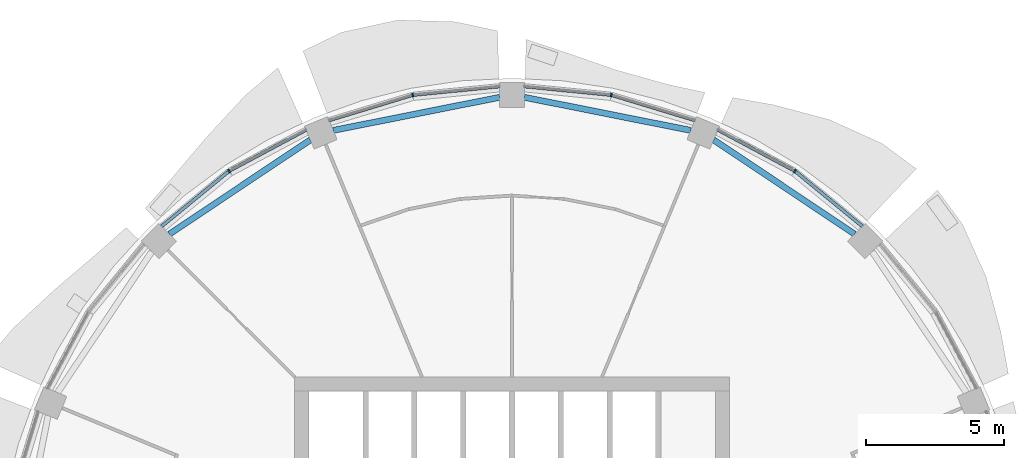
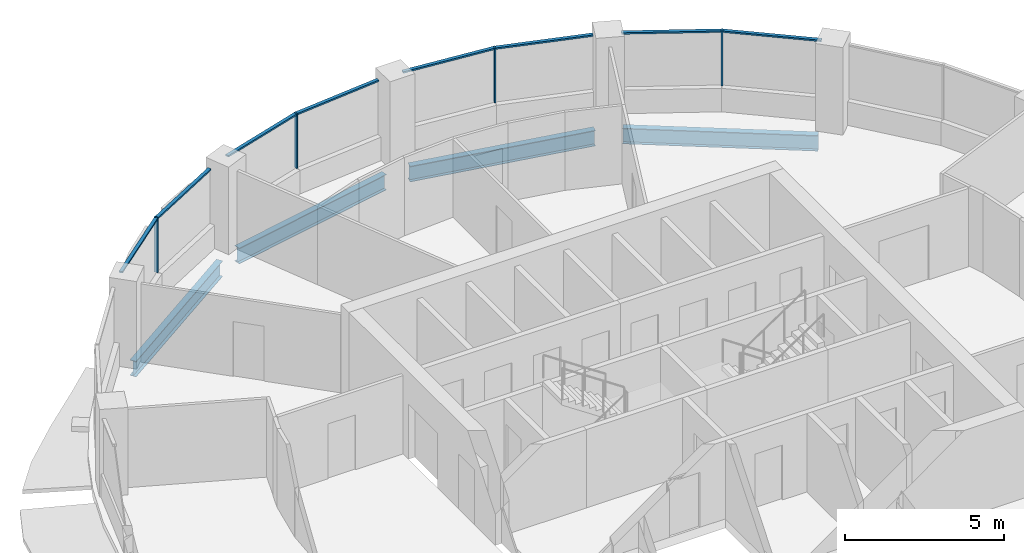
# One storey, part 6 of 15: 12 members, 4 beams, 4 elements without a shape of their own.
"""IFC4 building model written with IfcOpenShell, lengths in metres."""

import ifcopenshell
import ifcopenshell.guid

model = None  # the IFC model being written
_history = None  # IfcOwnerHistory: only IFC2X3 demands one
_inside = {}  # id of a spatial element -> (the spatial element, [elements in it])
_under = {}  # id of a project, library or spatial element -> (it, [spatial elements below it])
_declared = {}  # id of a project -> (the project, [libraries it declares])
_typed = {}  # id of a type object -> (the type object, [elements of that type])
_made_of = {}  # id of a material, layer set ... -> (it, [elements and type objects made of it])


def new_model(schema):
    """Start an empty IFC model of exactly this schema.

    Asked for "IFC4X3", IfcOpenShell would pick the latest addendum, in which some entities
    have other attributes; the version numbers below select the first issue.
    IFC2X3 requires an IfcOwnerHistory on every rooted entity: one is made here for all.
    """
    global model, _history
    if schema == "IFC4X3":
        model = ifcopenshell.file(schema_version=(4, 3, 0, 0))
    else:
        model = ifcopenshell.file(schema=schema)
    _inside.clear()
    _under.clear()
    _declared.clear()
    _typed.clear()
    _made_of.clear()
    _history = None
    if model.schema == "IFC2X3":
        org = make("IfcOrganization", Name="unknown")
        user = make(
            "IfcPersonAndOrganization",
            ThePerson=make("IfcPerson", FamilyName="unknown"),
            TheOrganization=org,
        )
        app = make(
            "IfcApplication",
            ApplicationDeveloper=org,
            Version="unknown",
            ApplicationFullName="unknown",
            ApplicationIdentifier="unknown",
        )
        _history = make(
            "IfcOwnerHistory",
            OwningUser=user,
            OwningApplication=app,
            ChangeAction="ADDED",
            CreationDate=0,
        )
    return model


def make(cls, **values):
    """One entity of the class cls with the attributes given. An attribute that is None is left unset."""
    return model.create_entity(
        cls, **{name: value for name, value in values.items() if value is not None}
    )


def rooted(cls, **values):
    """An entity with a GlobalId (a new one), such as an element, a storey or a relation."""
    return make(cls, GlobalId=ifcopenshell.guid.new(), OwnerHistory=_history, **values)


def si_unit(unit_type, name, prefix=None):
    """IfcSIUnit, for example si_unit("LENGTHUNIT", "METRE", prefix="MILLI")."""
    return make("IfcSIUnit", UnitType=unit_type, Prefix=prefix, Name=name)


def assignment(units):
    """IfcUnitAssignment: the units of a project."""
    return None if units is None else make("IfcUnitAssignment", Units=units)


def point(xyz):
    """IfcCartesianPoint."""
    return None if xyz is None else make("IfcCartesianPoint", Coordinates=xyz)


def direction(xyz):
    """IfcDirection."""
    return None if xyz is None else make("IfcDirection", DirectionRatios=xyz)


def frame(location, z_axis=None, x_axis=None):
    """IfcAxis2Placement3D, a coordinate frame: its origin and axes. An axis left out is left unset."""
    return make(
        "IfcAxis2Placement3D",
        Location=point(location),
        Axis=direction(z_axis),
        RefDirection=direction(x_axis),
    )


def frame_2d(location, x_axis=None):
    """IfcAxis2Placement2D, a coordinate frame in the plane: its origin and x axis."""
    return make(
        "IfcAxis2Placement2D", Location=point(location), RefDirection=direction(x_axis)
    )


def origin():
    """The frame at (0, 0, 0) with its axes left unset."""
    return frame((0.0, 0.0, 0.0))


def origin_2d():
    """The frame at (0, 0) in the plane with its x axis left unset."""
    return frame_2d((0.0, 0.0))


def place(relative_to, where):
    """IfcLocalPlacement: puts the frame where relative to a parent placement (None: the world)."""
    return make(
        "IfcLocalPlacement", PlacementRelTo=relative_to, RelativePlacement=where
    )


def context(
    kind, dimensions, precision=None, world=None, true_north=None, identifier=None
):
    """IfcGeometricRepresentationContext, for example the 3D "Model" context."""
    return make(
        "IfcGeometricRepresentationContext",
        ContextIdentifier=identifier,
        ContextType=kind,
        CoordinateSpaceDimension=dimensions,
        Precision=precision,
        WorldCoordinateSystem=world,
        TrueNorth=true_north,
    )


def subcontext(parent, identifier, kind, view, scale=None):
    """IfcGeometricRepresentationSubContext, for example "Body" below "Model"."""
    return make(
        "IfcGeometricRepresentationSubContext",
        ContextIdentifier=identifier,
        ContextType=kind,
        ParentContext=parent,
        TargetScale=scale,
        TargetView=view,
    )


def project(units=None, contexts=None):
    """IfcProject with its units and contexts."""
    return rooted(
        "IfcProject",
        Name="project",
        RepresentationContexts=contexts,
        UnitsInContext=assignment(units),
    )


def spatial(cls, under=None, at=None, **own):
    """A site, building, storey or space (cls), placed at a placement, below another one or the project."""
    s = rooted(cls, ObjectPlacement=at, **own)
    if under is not None:
        _under.setdefault(under.id(), (under, []))[1].append(s)
    return s


def profile(cls, at=None, kind="AREA", **sizes):
    """A parametric profile (cls). Its sizes go by their IFC names, for example OverallWidth=200.0."""
    return make(cls, ProfileType=kind, Position=at, **sizes)


def rectangle(**sizes):
    """IfcRectangleProfileDef."""
    return profile("IfcRectangleProfileDef", **sizes)


def i_section(**sizes):
    """IfcIShapeProfileDef."""
    return profile("IfcIShapeProfileDef", **sizes)


def extrude(swept, where, along, depth):
    """IfcExtrudedAreaSolid: the profile swept, set in the frame where, extruded along a direction by depth."""
    return make(
        "IfcExtrudedAreaSolid",
        SweptArea=swept,
        Position=where,
        ExtrudedDirection=direction(along),
        Depth=depth,
    )


def shape(context_of_items, identifier, shape_type, items):
    """IfcShapeRepresentation: the items that make up one representation, for example the "Body"."""
    return make(
        "IfcShapeRepresentation",
        ContextOfItems=context_of_items,
        RepresentationIdentifier=identifier,
        RepresentationType=shape_type,
        Items=items,
    )


def material(Name=None, Category=None):
    """IfcMaterial."""
    return make("IfcMaterial", Name=Name, Category=Category)


def material_profile(
    of_material, cross_section, Name=None, Category=None, Priority=None
):
    """IfcMaterialProfile: a cross section and its material."""
    return make(
        "IfcMaterialProfile",
        Name=Name,
        Material=of_material,
        Profile=cross_section,
        Priority=Priority,
        Category=Category,
    )


def profile_set(profiles, Name=None, composite=None):
    """IfcMaterialProfileSet."""
    return make(
        "IfcMaterialProfileSet",
        Name=Name,
        MaterialProfiles=profiles,
        CompositeProfile=composite,
    )


def made_of(thing, what):
    """Note that an element or type object is made of a material, layer set ...; save() writes the relation."""
    if what is not None:
        _made_of.setdefault(what.id(), (what, []))[1].append(thing)
    return thing


def type_object(cls, material=None, **own):
    """A type object (cls), such as IfcWallType, which elements share."""
    return made_of(rooted(cls, **own), material)


def element(
    cls,
    number,
    at=None,
    inside=None,
    cuts=None,
    type_object=None,
    material=None,
    context=None,
    identifier="Body",
    shape_type=None,
    held_by="IfcProductDefinitionShape",
    body=None,
    shapes=None,
    **own,
):
    """One element of the class cls, such as IfcWall. Its Tag is "e" and its number.

    at: its placement. inside: the storey or other place that contains it. cuts: it is an
    opening in that element (IfcRelVoidsElement). A single representation is given by context,
    identifier, shape_type and body (its items); several are given by shapes. held_by: the class
    of the entity that holds the representations. save() writes the other relations.
    """
    e = rooted(cls, Tag="e%d" % number, ObjectPlacement=at, **own)
    if body is not None:
        shapes = [shape(context, identifier, shape_type, body)]
    if shapes is not None:
        e.Representation = make(held_by, Representations=shapes)
    if inside is not None:
        _inside.setdefault(inside.id(), (inside, []))[1].append(e)
    if cuts is not None:
        rooted(
            "IfcRelVoidsElement", RelatingBuildingElement=cuts, RelatedOpeningElement=e
        )
    if type_object is not None:
        _typed.setdefault(type_object.id(), (type_object, []))[1].append(e)
    return made_of(e, material)


def aggregate(whole, parts):
    """IfcRelAggregates: a whole, such as a stair, and the parts it consists of."""
    return rooted("IfcRelAggregates", RelatingObject=whole, RelatedObjects=parts)


def save(model, path):
    """Write the relations noted so far, then the file.

    IfcRelAggregates (storeys below a building ...), IfcRelContainedInSpatialStructure (elements
    in a storey), IfcRelDefinesByType, IfcRelAssociatesMaterial and IfcRelDeclares: one each for
    every whole, place, type object, material and project.
    """
    for whole, parts in _under.values():
        aggregate(whole, parts)
    for where, things in _inside.values():
        rooted(
            "IfcRelContainedInSpatialStructure",
            RelatedElements=things,
            RelatingStructure=where,
        )
    for kind, things in _typed.values():
        rooted("IfcRelDefinesByType", RelatedObjects=things, RelatingType=kind)
    for what, things in _made_of.values():
        rooted("IfcRelAssociatesMaterial", RelatedObjects=things, RelatingMaterial=what)
    for by, libraries in _declared.values():
        rooted("IfcRelDeclares", RelatingContext=by, RelatedDefinitions=libraries)
    model.write(path)


model = new_model("IFC4")

# Units and contexts
model_context = context("Model", 3, precision=1e-05, world=origin(), true_north=direction((0.0, 1.0)))
body_context = subcontext(model_context, "Body", "Model", "MODEL_VIEW")
ifc_project = project(units=[si_unit("LENGTHUNIT", "METRE"), si_unit("AREAUNIT", "SQUARE_METRE"), si_unit("VOLUMEUNIT", "CUBIC_METRE"), si_unit("PLANEANGLEUNIT", "RADIAN"), si_unit("MASSUNIT", "GRAM", prefix="KILO")], contexts=[model_context])

# Site, building, storey
site_placement = place(None, origin())
site = spatial("IfcSite", under=ifc_project, at=site_placement, CompositionType="ELEMENT")
building_placement = place(site_placement, origin())
building = spatial("IfcBuilding", under=site, at=building_placement, Name="Polderwave Tower", CompositionType="ELEMENT")
storey_placement = place(building_placement, frame((0.0, 0.0, 170.89990234375)))
storey = spatial("IfcBuildingStorey", under=building, at=storey_placement, Name="L45", CompositionType="ELEMENT", Elevation=170.89990234375)

# Curtain wall, member
ifc_material_1 = material(Name="Aluminium 6063-T6 and glass", Category="aluminium")
curtain_wall_type = type_object("IfcCurtainWallType", Name="Office ribbon glazing wall", PredefinedType="NOTDEFINED", material=ifc_material_1)
curtain_wall_1_placement = place(storey_placement, origin())
curtain_wall_1 = element("IfcCurtainWall", 1, at=curtain_wall_1_placement, inside=storey, type_object=curtain_wall_type, Name="CW3 L45 02", PredefinedType="NOTDEFINED")
ifc_material_2 = material(Name="Aluminium 6063-T6", Category="aluminium")
ifc_material_profile_1 = material_profile(ifc_material_2, rectangle(XDim=0.139892578125, YDim=0.054931640625, at=origin_2d()), Name="AL 55x140")
ifc_profile_set_1 = profile_set([ifc_material_profile_1], Name="Aluminium 6063-T6")
member_type_1 = type_object("IfcMemberType", Name="Office ribbon glazing mullion 55x140", PredefinedType="MULLION", material=ifc_profile_set_1)
member_1_placement = place(storey_placement, frame((10.25, 15.341064453125, 0.900146484375), z_axis=(0.0, 0.0, 1.0), x_axis=(-0.555454132545, -0.831547176436, 0.0)))
member_1 = element("IfcMember", 2, at=member_1_placement, type_object=member_type_1, Name="CW3 mullion 1", PredefinedType="MULLION", context=body_context, shape_type="SweptSolid", body=[
    extrude(rectangle(XDim=0.139892578125, YDim=0.054931640625, at=origin_2d()), origin(), (0.0, 0.0, 1.0), 2.099853515625),
])

curtain_wall_2_placement = place(storey_placement, origin())
curtain_wall_2 = element("IfcCurtainWall", 3, at=curtain_wall_2_placement, inside=storey, type_object=curtain_wall_type, Name="CW3 L45 03", PredefinedType="NOTDEFINED")
member_2_placement = place(storey_placement, frame((3.59912109375, 18.094970703125, 0.900146484375), z_axis=(0.0, 0.0, 1.0), x_axis=(-0.195097169184, -0.980783918392, 0.0)))
member_2 = element("IfcMember", 4, at=member_2_placement, type_object=member_type_1, Name="CW3 mullion 1", PredefinedType="MULLION", context=body_context, shape_type="SweptSolid", body=[
    extrude(rectangle(XDim=0.139892578125, YDim=0.054931640625, at=origin_2d()), origin(), (0.0, 0.0, 1.0), 2.099853515625),
])

curtain_wall_3_placement = place(storey_placement, origin())
curtain_wall_3 = element("IfcCurtainWall", 5, at=curtain_wall_3_placement, inside=storey, type_object=curtain_wall_type, Name="CW3 L45 04", PredefinedType="NOTDEFINED")
member_3_placement = place(storey_placement, frame((-3.59912109375, 18.094970703125, 0.900146484375), z_axis=(0.0, 0.0, 1.0), x_axis=(0.195097169184, -0.980783918392, 0.0)))
member_3 = element("IfcMember", 6, at=member_3_placement, type_object=member_type_1, Name="CW3 mullion 1", PredefinedType="MULLION", context=body_context, shape_type="SweptSolid", body=[
    extrude(rectangle(XDim=0.139892578125, YDim=0.054931640625, at=origin_2d()), origin(), (0.0, 0.0, 1.0), 2.099853515625),
])

curtain_wall_4_placement = place(storey_placement, origin())
curtain_wall_4 = element("IfcCurtainWall", 7, at=curtain_wall_4_placement, inside=storey, type_object=curtain_wall_type, Name="CW3 L45 05", PredefinedType="NOTDEFINED")
member_4_placement = place(storey_placement, frame((-10.25, 15.341064453125, 0.900146484375), z_axis=(0.0, 0.0, 1.0), x_axis=(0.555454132545, -0.831547176436, 0.0)))
member_4 = element("IfcMember", 8, at=member_4_placement, type_object=member_type_1, Name="CW3 mullion 1", PredefinedType="MULLION", context=body_context, shape_type="SweptSolid", body=[
    extrude(rectangle(XDim=0.139892578125, YDim=0.054931640625, at=origin_2d()), origin(), (0.0, 0.0, 1.0), 2.099853515625),
])

# Member
ifc_material_profile_2 = material_profile(ifc_material_2, rectangle(XDim=0.1201171875, YDim=0.06005859375, at=origin_2d()), Name="AL 60x120")
ifc_profile_set_2 = profile_set([ifc_material_profile_2], Name="Aluminium 6063-T6")
member_type_2 = type_object("IfcMemberType", Name="Office ribbon glazing transom 60x120", PredefinedType="USERDEFINED", material=ifc_profile_set_2)
member_5_placement = place(storey_placement, frame((12.697021484375, 13.3330078125, 2.97021484375), z_axis=(-0.773058696079, 0.634334495686, 0.0), x_axis=(-0.634334495686, -0.773058696079, 0.0)))
member_5 = element("IfcMember", 9, at=member_5_placement, type_object=member_type_2, Name="CW3 transom 1", ObjectType="TRANSOM", PredefinedType="USERDEFINED", context=body_context, shape_type="SweptSolid", body=[
    extrude(rectangle(XDim=0.1201171875, YDim=0.06005859375, at=origin_2d()), origin(), (0.0, 0.0, 1.0), 3.137939453125),
])

member_6_placement = place(storey_placement, frame((10.2255859375, 15.35400390625, 2.97021484375), z_axis=(-0.882020915121, 0.471210255925, 0.0), x_axis=(-0.471210255925, -0.882020915121, 0.0)))
member_6 = element("IfcMember", 10, at=member_6_placement, type_object=member_type_2, Name="CW3 transom 2", ObjectType="TRANSOM", PredefinedType="USERDEFINED", context=body_context, shape_type="SweptSolid", body=[
    extrude(rectangle(XDim=0.1201171875, YDim=0.06005859375, at=origin_2d()), origin(), (0.0, 0.0, 1.0), 3.13671875),
])

aggregate(curtain_wall_1, [member_1, member_5, member_6])

member_7_placement = place(storey_placement, frame((6.6279296875, 17.177001953125, 2.97021484375), z_axis=(-0.957023749989, 0.29000955494, 0.0), x_axis=(-0.29000955494, -0.957023749989, 0.0)))
member_7 = element("IfcMember", 11, at=member_7_placement, type_object=member_type_2, Name="CW3 transom 1", ObjectType="TRANSOM", PredefinedType="USERDEFINED", context=body_context, shape_type="SweptSolid", body=[
    extrude(rectangle(XDim=0.1201171875, YDim=0.06005859375, at=origin_2d()), origin(), (0.0, 0.0, 1.0), 3.137451171875),
])

member_8_placement = place(storey_placement, frame((3.571533203125, 18.09765625, 2.97021484375), z_axis=(-0.995156679386, 0.098301492731, 0.0), x_axis=(-0.098301492731, -0.995156679386, 0.0)))
member_8 = element("IfcMember", 12, at=member_8_placement, type_object=member_type_2, Name="CW3 transom 2", ObjectType="TRANSOM", PredefinedType="USERDEFINED", context=body_context, shape_type="SweptSolid", body=[
    extrude(rectangle(XDim=0.1201171875, YDim=0.06005859375, at=origin_2d()), origin(), (0.0, 0.0, 1.0), 3.13671875),
])

aggregate(curtain_wall_2, [member_2, member_7, member_8])

member_9_placement = place(storey_placement, frame((-0.449951171875, 18.406005859375, 2.97021484375), z_axis=(-0.995156679386, -0.098301492731, 0.0), x_axis=(0.098301492731, -0.995156679386, 0.0)))
member_9 = element("IfcMember", 13, at=member_9_placement, type_object=member_type_2, Name="CW3 transom 1", ObjectType="TRANSOM", PredefinedType="USERDEFINED", context=body_context, shape_type="SweptSolid", body=[
    extrude(rectangle(XDim=0.1201171875, YDim=0.06005859375, at=origin_2d()), origin(), (0.0, 0.0, 1.0), 3.13671875),
])

member_10_placement = place(storey_placement, frame((-3.625244140625, 18.0869140625, 2.97021484375), z_axis=(-0.957023749989, -0.29000955494, 0.0), x_axis=(0.29000955494, -0.957023749989, 0.0)))
member_10 = element("IfcMember", 14, at=member_10_placement, type_object=member_type_2, Name="CW3 transom 2", ObjectType="TRANSOM", PredefinedType="USERDEFINED", context=body_context, shape_type="SweptSolid", body=[
    extrude(rectangle(XDim=0.1201171875, YDim=0.06005859375, at=origin_2d()), origin(), (0.0, 0.0, 1.0), 3.137451171875),
])

aggregate(curtain_wall_3, [member_3, member_9, member_10])

member_11_placement = place(storey_placement, frame((-7.458984375, 16.83203125, 2.97021484375), z_axis=(-0.882020915121, -0.471210255925, 0.0), x_axis=(0.471210255925, -0.882020915121, 0.0)))
member_11 = element("IfcMember", 15, at=member_11_placement, type_object=member_type_2, Name="CW3 transom 1", ObjectType="TRANSOM", PredefinedType="USERDEFINED", context=body_context, shape_type="SweptSolid", body=[
    extrude(rectangle(XDim=0.1201171875, YDim=0.06005859375, at=origin_2d()), origin(), (0.0, 0.0, 1.0), 3.13671875),
])

member_12_placement = place(storey_placement, frame((-10.271240234375, 15.323486328125, 2.97021484375), z_axis=(-0.773058696079, -0.634334495686, 0.0), x_axis=(0.634334495686, -0.773058696079, 0.0)))
member_12 = element("IfcMember", 16, at=member_12_placement, type_object=member_type_2, Name="CW3 transom 2", ObjectType="TRANSOM", PredefinedType="USERDEFINED", context=body_context, shape_type="SweptSolid", body=[
    extrude(rectangle(XDim=0.1201171875, YDim=0.06005859375, at=origin_2d()), origin(), (0.0, 0.0, 1.0), 3.137939453125),
])

aggregate(curtain_wall_4, [member_4, member_11, member_12])

# Beams
ifc_material_3 = material(Name="Steel S355", Category="steel")
ifc_material_profile_3 = material_profile(ifc_material_3, i_section(OverallWidth=0.219970703125, OverallDepth=0.60009765625, WebThickness=0.011962890625, FlangeThickness=0.01904296875, at=origin_2d()), Name="IPE 600")
ifc_profile_set_3 = profile_set([ifc_material_profile_3], Name="Steel S355")
beam_type = type_object("IfcBeamType", Name="RING BEAM IPE 600", PredefinedType="BEAM", material=ifc_profile_set_3)
for number, where, z_axis, x_axis, name in (
    (17, (12.417236328125, 13.053466796875, -0.64990234375), (-0.831469141634, 0.555570937424, 0.0), (-0.555570937424, -0.831469141634, 0.0), "ST-RB-L45-02"),
    (18, (6.4765625, 16.811767578125, -0.64990234375), (-0.980786434346, 0.195084520666, 0.0), (-0.195084520666, -0.980786434346, 0.0), "ST-RB-L45-03"),
    (19, (-0.449951171875, 18.010498046875, -0.64990234375), (-0.980786434346, -0.195084520666, 0.0), (0.195084520666, -0.980786434346, 0.0), "ST-RB-L45-04"),
    (20, (-7.30810546875, 16.46728515625, -0.64990234375), (-0.831469141634, -0.555570937424, 0.0), (0.555570937424, -0.831469141634, 0.0), "ST-RB-L45-05"),
):
    element("IfcBeam", number, at=place(storey_placement, frame(where, z_axis=z_axis, x_axis=x_axis)), inside=storey, type_object=beam_type, Name=name, PredefinedType="BEAM", context=body_context, shape_type="SweptSolid", body=[
        extrude(i_section(OverallWidth=0.219970703125, OverallDepth=0.60009765625, WebThickness=0.011962890625, FlangeThickness=0.01904296875, at=origin_2d()), origin(), (0.0, 0.0, 1.0), 6.144775390625),
    ])

save(model, "model.ifc")
